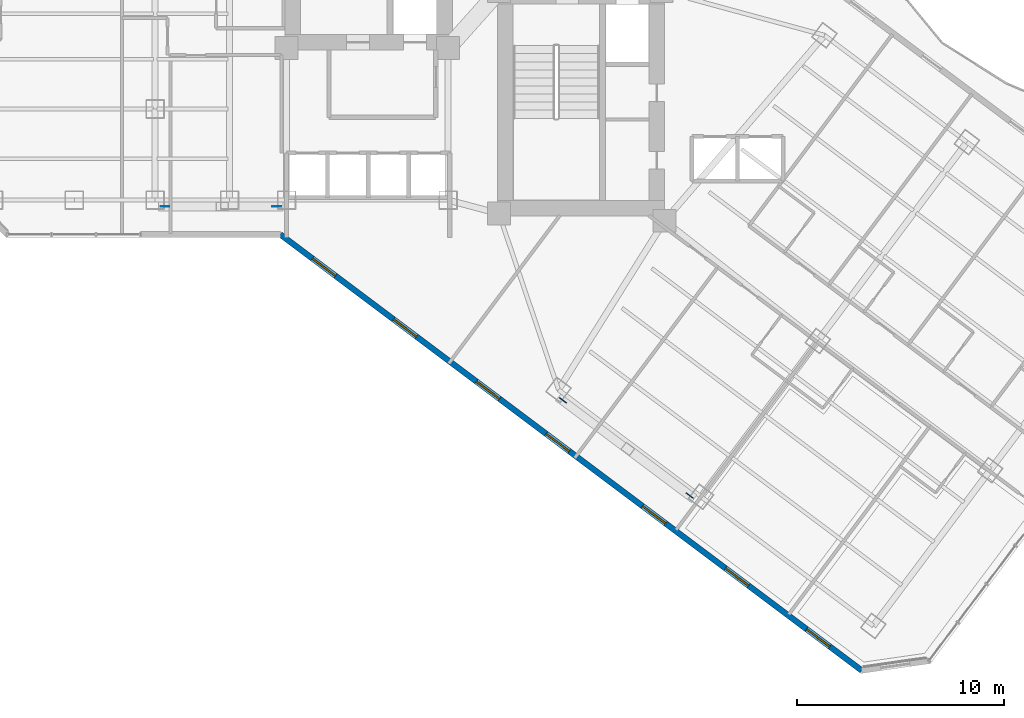
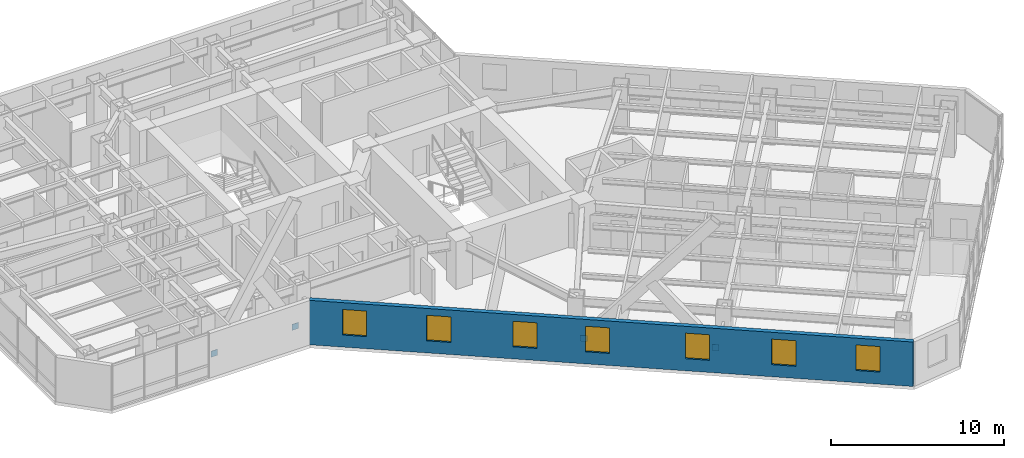
# One storey, part 21 of 30: 7 windows, 4 plates, 1 wall, 7 openings.
"""IFC4 building model written with IfcOpenShell, lengths in metres."""

from ifc_helpers import new_model, si_unit, direction, frame, frame_2d, origin, origin_2d, place, context, subcontext, project, spatial, rectangle, extrude, material, layer, layer_set, type_object, element, fill, save


model = new_model("IFC4")

# Units and contexts
model_context = context("Model", 3, precision=1e-05, world=origin(), true_north=direction((0.0, 1.0)))
body_context = subcontext(model_context, "Body", "Model", "MODEL_VIEW")
ifc_project = project(units=[si_unit("LENGTHUNIT", "METRE"), si_unit("AREAUNIT", "SQUARE_METRE"), si_unit("VOLUMEUNIT", "CUBIC_METRE"), si_unit("PLANEANGLEUNIT", "RADIAN"), si_unit("MASSUNIT", "GRAM", prefix="KILO")], contexts=[model_context])

# Site, building, storey
site_placement = place(None, origin())
site = spatial("IfcSite", under=ifc_project, at=site_placement, CompositionType="ELEMENT")
building_placement = place(site_placement, origin())
building = spatial("IfcBuilding", under=site, at=building_placement, Name="Hatsunagi Terrace Concourse", CompositionType="ELEMENT")
storey_placement = place(building_placement, frame((0.0, 0.0, 74.60009765625)))
storey = spatial("IfcBuildingStorey", under=building, at=storey_placement, Name="L19", CompositionType="ELEMENT", Elevation=74.60009765625)

# Plates
ifc_material_1 = material(Name="Steel SN490C", Category="steel")
ifc_layer_1 = layer(ifc_material_1, 0.031982421875)
ifc_layer_set_1 = layer_set([ifc_layer_1], Name="XBraceNodeCapPlate_32")
plate_type = type_object("IfcPlateType", Name="XBraceNodeCapPlate_32", PredefinedType="USERDEFINED", material=ifc_layer_set_1)
for number, where, z_axis, x_axis, name in (
    (1, (19.675048828125, 24.89990234375, 0.22998046875), (0.0, 0.0, 1.0), (1.0, 0.0, 0.0), "Cast-In Core and Node Embed Plate GP-02 EP-XB-L19-W1-AB"),
    (2, (25.074951171875, 24.89990234375, 0.22998046875), (0.0, 0.0, 1.0), (1.0, 0.0, 0.0), "Cast-In Core and Node Embed Plate GP-02 EP-XB-L19-W1-BB"),
    (3, (38.89208984375, 15.531005859375, 0.22998046875), (0.0, 0.0, 1.0), (0.799999996291, -0.600000004945, 0.0), "Cast-In Core and Node Embed Plate GP-02 EP-XB-L19-SE-AB"),
    (4, (45.011962890625, 10.94091796875, 0.22998046875), (0.0, 0.0, 1.0), (0.799999996291, -0.600000004945, 0.0), "Cast-In Core and Node Embed Plate GP-02 EP-XB-L19-SE-BB"),
):
    element("IfcPlate", number, at=place(storey_placement, frame(where, z_axis=z_axis, x_axis=x_axis)), inside=storey, type_object=plate_type, Name=name, ObjectType="GUSSET_PLATE", PredefinedType="USERDEFINED", context=body_context, shape_type="SweptSolid", body=[
        extrude(rectangle(XDim=0.419921875, YDim=0.031982421875, at=origin_2d()), origin(), (0.0, 0.0, 1.0), 0.419921875),
    ])

# Wall, openings, windows
ifc_material_2 = material(Name="Autoclaved Lightweight Concrete and Terracotta Cladding", Category="masonry")
ifc_layer_2 = layer(ifc_material_2, 0.280029296875)
ifc_layer_set_2 = layer_set([ifc_layer_2], Name="TerracottaSpandrelWall_280")
wall_type = type_object("IfcWallType", Name="TerracottaSpandrelWall_280", PredefinedType="STANDARD", material=ifc_layer_set_2)
wall_placement = place(storey_placement, frame((53.318115234375, 2.487060546875, 0.0), z_axis=(0.0, 0.0, 1.0), x_axis=(-0.800004174678, 0.599994433723, 0.0)))
wall = element("IfcWall", 5, at=wall_placement, inside=storey, type_object=wall_type, Name="Exterior Spandrel Wall EW-L19-05", PredefinedType="STANDARD", context=body_context, shape_type="SweptSolid", body=[
    extrude(rectangle(XDim=35.088623046875, YDim=0.280029296875, at=frame_2d((17.54443359375, 0.0))), origin(), (0.0, 0.0, 1.0), 3.1298828125),
])
opening_1_placement = place(wall_placement, frame((1.930908203125, 0.0, 0.85009765625)))
opening_1 = element("IfcOpeningElement", 6, at=opening_1_placement, cuts=wall, Name="Opening WIN-02", PredefinedType="OPENING", context=body_context, shape_type="SweptSolid", body=[
    extrude(rectangle(XDim=1.39990234375, YDim=1.800048828125, at=frame_2d((0.699951171875, 0.89990234375))), frame((0.0, 0.14990234375, 0.0), z_axis=(0.0, -1.0, 0.0), x_axis=(1.0, 0.0, 0.0)), (0.0, 0.0, 1.0), 0.300048828125),
])
opening_2_placement = place(wall_placement, frame((6.819091796875, 0.0, 0.85009765625)))
opening_2 = element("IfcOpeningElement", 7, at=opening_2_placement, cuts=wall, Name="Opening WIN-02", PredefinedType="OPENING", context=body_context, shape_type="SweptSolid", body=[
    extrude(rectangle(XDim=1.39990234375, YDim=1.800048828125, at=frame_2d((0.699951171875, 0.89990234375))), frame((0.0, 0.14990234375, 0.0), z_axis=(0.0, -1.0, 0.0), x_axis=(1.0, 0.0, 0.0)), (0.0, 0.0, 1.0), 0.300048828125),
])
opening_3_placement = place(wall_placement, frame((11.83203125, 0.0, 0.85009765625)))
opening_3 = element("IfcOpeningElement", 8, at=opening_3_placement, cuts=wall, Name="Opening WIN-02", PredefinedType="OPENING", context=body_context, shape_type="SweptSolid", body=[
    extrude(rectangle(XDim=1.39990234375, YDim=1.800048828125, at=frame_2d((0.699951171875, 0.89990234375))), frame((0.0, 0.14990234375, 0.0), z_axis=(0.0, -1.0, 0.0), x_axis=(1.0, 0.0, 0.0)), (0.0, 0.0, 1.0), 0.300048828125),
])
opening_4_placement = place(wall_placement, frame((17.64697265625, 0.0, 0.85009765625)))
opening_4 = element("IfcOpeningElement", 9, at=opening_4_placement, cuts=wall, Name="Opening WIN-02", PredefinedType="OPENING", context=body_context, shape_type="SweptSolid", body=[
    extrude(rectangle(XDim=1.39990234375, YDim=1.800048828125, at=frame_2d((0.699951171875, 0.89990234375))), frame((0.0, 0.14990234375, 0.0), z_axis=(0.0, -1.0, 0.0), x_axis=(1.0, 0.0, 0.0)), (0.0, 0.0, 1.0), 0.300048828125),
])
opening_5_placement = place(wall_placement, frame((21.85693359375, 0.0, 0.85009765625)))
opening_5 = element("IfcOpeningElement", 10, at=opening_5_placement, cuts=wall, Name="Opening WIN-02", PredefinedType="OPENING", context=body_context, shape_type="SweptSolid", body=[
    extrude(rectangle(XDim=1.39990234375, YDim=1.800048828125, at=frame_2d((0.699951171875, 0.89990234375))), frame((0.0, 0.14990234375, 0.0), z_axis=(0.0, -1.0, 0.0), x_axis=(1.0, 0.0, 0.0)), (0.0, 0.0, 1.0), 0.300048828125),
])
opening_6_placement = place(wall_placement, frame((26.8701171875, 0.0, 0.85009765625)))
opening_6 = element("IfcOpeningElement", 11, at=opening_6_placement, cuts=wall, Name="Opening WIN-02", PredefinedType="OPENING", context=body_context, shape_type="SweptSolid", body=[
    extrude(rectangle(XDim=1.39990234375, YDim=1.800048828125, at=frame_2d((0.699951171875, 0.89990234375))), frame((0.0, 0.14990234375, 0.0), z_axis=(0.0, -1.0, 0.0), x_axis=(1.0, 0.0, 0.0)), (0.0, 0.0, 1.0), 0.300048828125),
])
opening_7_placement = place(wall_placement, frame((31.757080078125, 0.0, 0.85009765625)))
opening_7 = element("IfcOpeningElement", 12, at=opening_7_placement, cuts=wall, Name="Opening WIN-02", PredefinedType="OPENING", context=body_context, shape_type="SweptSolid", body=[
    extrude(rectangle(XDim=1.39990234375, YDim=1.800048828125, at=frame_2d((0.699951171875, 0.89990234375))), frame((0.0, 0.14990234375, 0.0), z_axis=(0.0, -1.0, 0.0), x_axis=(1.0, 0.0, 0.0)), (0.0, 0.0, 1.0), 0.300048828125),
])
ifc_material_3 = material(Name="Thermally Broken Aluminium and Low-E Triple Glazing", Category="aluminium")
window_type = type_object("IfcWindowType", Name="HotelOperableVentWindow_1400x1800", PartitioningType="DOUBLE_PANEL_VERTICAL", PredefinedType="WINDOW", material=ifc_material_3)
window_1_placement = place(opening_1_placement, origin())
window_1 = element("IfcWindow", 13, at=window_1_placement, inside=storey, type_object=window_type, Name="Hotel Perimeter Window L19-05-1", OverallHeight=1.800048828125, OverallWidth=1.39990234375, PartitioningType="SINGLE_PANEL", PredefinedType="WINDOW", context=body_context, shape_type="SweptSolid", body=[
    extrude(rectangle(XDim=1.39990234375, YDim=1.800048828125, at=frame_2d((0.699951171875, 0.89990234375))), frame((0.0, 0.030029296875, 0.0), z_axis=(0.0, -1.0, 0.0), x_axis=(1.0, 0.0, 0.0)), (0.0, 0.0, 1.0), 0.06005859375),
])
fill(opening_1, window_1)
window_2_placement = place(opening_2_placement, origin())
window_2 = element("IfcWindow", 14, at=window_2_placement, inside=storey, type_object=window_type, Name="Hotel Perimeter Window L19-05-2", OverallHeight=1.800048828125, OverallWidth=1.39990234375, PartitioningType="SINGLE_PANEL", PredefinedType="WINDOW", context=body_context, shape_type="SweptSolid", body=[
    extrude(rectangle(XDim=1.39990234375, YDim=1.800048828125, at=frame_2d((0.699951171875, 0.89990234375))), frame((0.0, 0.030029296875, 0.0), z_axis=(0.0, -1.0, 0.0), x_axis=(1.0, 0.0, 0.0)), (0.0, 0.0, 1.0), 0.06005859375),
])
fill(opening_2, window_2)
window_3_placement = place(opening_3_placement, origin())
window_3 = element("IfcWindow", 15, at=window_3_placement, inside=storey, type_object=window_type, Name="Hotel Perimeter Window L19-05-3", OverallHeight=1.800048828125, OverallWidth=1.39990234375, PartitioningType="SINGLE_PANEL", PredefinedType="WINDOW", context=body_context, shape_type="SweptSolid", body=[
    extrude(rectangle(XDim=1.39990234375, YDim=1.800048828125, at=frame_2d((0.699951171875, 0.89990234375))), frame((0.0, 0.030029296875, 0.0), z_axis=(0.0, -1.0, 0.0), x_axis=(1.0, 0.0, 0.0)), (0.0, 0.0, 1.0), 0.06005859375),
])
fill(opening_3, window_3)
window_4_placement = place(opening_4_placement, origin())
window_4 = element("IfcWindow", 16, at=window_4_placement, inside=storey, type_object=window_type, Name="Hotel Perimeter Window L19-05-4", OverallHeight=1.800048828125, OverallWidth=1.39990234375, PartitioningType="SINGLE_PANEL", PredefinedType="WINDOW", context=body_context, shape_type="SweptSolid", body=[
    extrude(rectangle(XDim=1.39990234375, YDim=1.800048828125, at=frame_2d((0.699951171875, 0.89990234375))), frame((0.0, 0.030029296875, 0.0), z_axis=(0.0, -1.0, 0.0), x_axis=(1.0, 0.0, 0.0)), (0.0, 0.0, 1.0), 0.06005859375),
])
fill(opening_4, window_4)
window_5_placement = place(opening_5_placement, origin())
window_5 = element("IfcWindow", 17, at=window_5_placement, inside=storey, type_object=window_type, Name="Hotel Perimeter Window L19-05-5", OverallHeight=1.800048828125, OverallWidth=1.39990234375, PartitioningType="SINGLE_PANEL", PredefinedType="WINDOW", context=body_context, shape_type="SweptSolid", body=[
    extrude(rectangle(XDim=1.39990234375, YDim=1.800048828125, at=frame_2d((0.699951171875, 0.89990234375))), frame((0.0, 0.030029296875, 0.0), z_axis=(0.0, -1.0, 0.0), x_axis=(1.0, 0.0, 0.0)), (0.0, 0.0, 1.0), 0.06005859375),
])
fill(opening_5, window_5)
window_6_placement = place(opening_6_placement, origin())
window_6 = element("IfcWindow", 18, at=window_6_placement, inside=storey, type_object=window_type, Name="Hotel Perimeter Window L19-05-6", OverallHeight=1.800048828125, OverallWidth=1.39990234375, PartitioningType="SINGLE_PANEL", PredefinedType="WINDOW", context=body_context, shape_type="SweptSolid", body=[
    extrude(rectangle(XDim=1.39990234375, YDim=1.800048828125, at=frame_2d((0.699951171875, 0.89990234375))), frame((0.0, 0.030029296875, 0.0), z_axis=(0.0, -1.0, 0.0), x_axis=(1.0, 0.0, 0.0)), (0.0, 0.0, 1.0), 0.06005859375),
])
fill(opening_6, window_6)
window_7_placement = place(opening_7_placement, origin())
window_7 = element("IfcWindow", 19, at=window_7_placement, inside=storey, type_object=window_type, Name="Hotel Perimeter Window L19-05-7", OverallHeight=1.800048828125, OverallWidth=1.39990234375, PartitioningType="SINGLE_PANEL", PredefinedType="WINDOW", context=body_context, shape_type="SweptSolid", body=[
    extrude(rectangle(XDim=1.39990234375, YDim=1.800048828125, at=frame_2d((0.699951171875, 0.89990234375))), frame((0.0, 0.030029296875, 0.0), z_axis=(0.0, -1.0, 0.0), x_axis=(1.0, 0.0, 0.0)), (0.0, 0.0, 1.0), 0.06005859375),
])
fill(opening_7, window_7)

save(model, "model.ifc")
